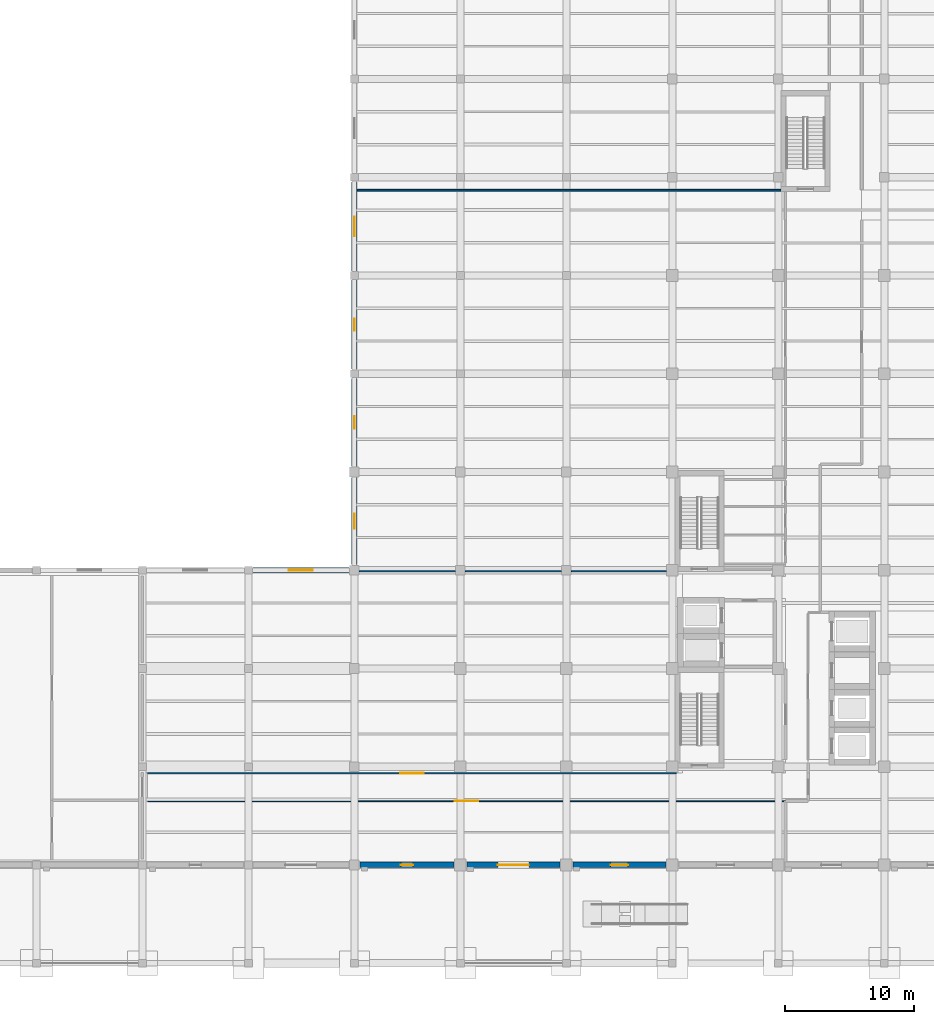
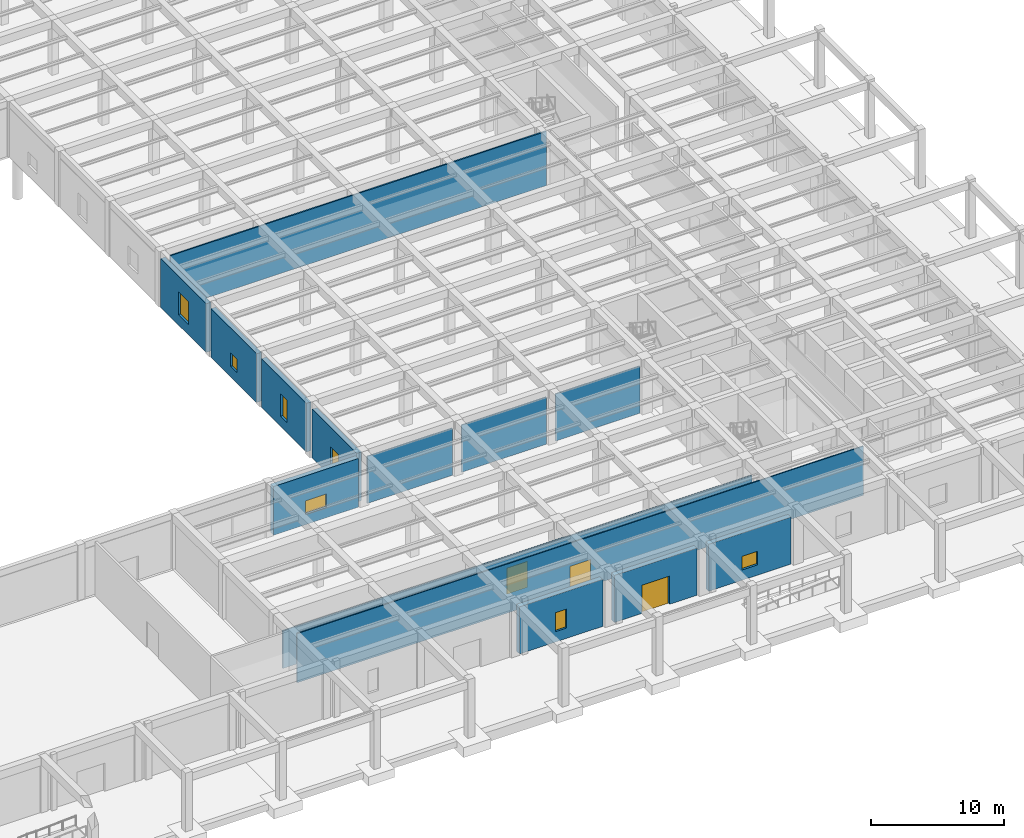
# One storey, part 44 of 64: 14 walls, 7 windows, 3 doors, 10 openings.
"""IFC4 building model written with IfcOpenShell, lengths in metres."""

from ifc_helpers import new_model, si_unit, direction, frame, frame_2d, origin, place, context, subcontext, project, spatial, rectangle, extrude, material, layer, layer_set, type_object, element, fill, save


model = new_model("IFC4")

# Units and contexts
model_context = context("Model", 3, precision=1e-05, world=origin(), true_north=direction((0.0, 1.0)))
body_context = subcontext(model_context, "Body", "Model", "MODEL_VIEW")
ifc_project = project(units=[si_unit("LENGTHUNIT", "METRE"), si_unit("AREAUNIT", "SQUARE_METRE"), si_unit("VOLUMEUNIT", "CUBIC_METRE"), si_unit("PLANEANGLEUNIT", "RADIAN"), si_unit("MASSUNIT", "GRAM", prefix="KILO")], contexts=[model_context])

# Site, building, storey
site_placement = place(None, origin())
site = spatial("IfcSite", under=ifc_project, at=site_placement, CompositionType="ELEMENT")
building_placement = place(site_placement, origin())
building = spatial("IfcBuilding", under=site, at=building_placement, Name="Qandaris Square Conservatory and Botanical Centre", CompositionType="ELEMENT")
storey_placement = place(building_placement, origin())
storey = spatial("IfcBuildingStorey", under=building, at=storey_placement, Name="L00", CompositionType="ELEMENT", Elevation=0.0)

# Wall, opening, door
ifc_material_1 = material(Name="Tempered Low-E Glass", Category="glass")
ifc_layer_1 = layer(ifc_material_1, 0.10009765625)
ifc_layer_set_1 = layer_set([ifc_layer_1], Name="Tempered Low-E Glass")
wall_type_1 = type_object("IfcWallType", Name="Framed Acoustic Glazed Gallery Screen 100mm", PredefinedType="PARTITIONING", material=ifc_layer_set_1)
wall_1_placement = place(storey_placement, frame((147.949951171875, 21.550048828125, 0.0), z_axis=(0.0, 0.0, 1.0), x_axis=(-1.0, 0.0, 0.0)))
wall_1 = element("IfcWall", 1, at=wall_1_placement, inside=storey, type_object=wall_type_1, Name="Interior Partition IW-L00-0054", PredefinedType="PARTITIONING", context=body_context, shape_type="SweptSolid", body=[
    extrude(rectangle(XDim=49.349853515625, YDim=0.10009765625, at=frame_2d((24.6748046875, 0.0))), origin(), (0.0, 0.0, 1.0), 4.52490234375),
])
opening_1_placement = place(wall_1_placement, frame((23.77490234375, 0.0, 0.0)))
opening_1 = element("IfcOpeningElement", 2, at=opening_1_placement, cuts=wall_1, Name="Opening D-GL1", PredefinedType="OPENING", context=body_context, shape_type="SweptSolid", body=[
    extrude(rectangle(XDim=1.800048828125, YDim=2.39990234375, at=frame_2d((0.89990234375, 1.199951171875))), frame((0.0, 0.06201171875, 0.0), z_axis=(0.0, -1.0, 0.0), x_axis=(1.0, 0.0, 0.0)), (0.0, 0.0, 1.0), 0.1240234375),
])
ifc_material_2 = material(Name="Anodised Aluminium", Category="aluminium")
door_type_1 = type_object("IfcDoorType", Name="Visitor Gallery Glazed Double Door 1800x2400", OperationType="DOUBLE_DOOR_SINGLE_SWING", PredefinedType="DOOR", material=ifc_material_2)
door_1_placement = place(opening_1_placement, frame((1.800048828125, 0.0, 0.0), z_axis=(0.0, 0.0, 1.0), x_axis=(-1.0, 0.0, 0.0)))
door_1 = element("IfcDoor", 3, at=door_1_placement, inside=storey, type_object=door_type_1, Name="DR-0038 Botanical Research Tower Entrance Lobby Door", OperationType="DOUBLE_DOOR_SINGLE_SWING", OverallHeight=2.39990234375, OverallWidth=1.800048828125, PredefinedType="DOOR", context=body_context, shape_type="SweptSolid", body=[
    extrude(rectangle(XDim=1.800048828125, YDim=2.39990234375, at=frame_2d((0.89990234375, 1.199951171875))), frame((0.0, 0.02490234375, 0.0), z_axis=(0.0, -1.0, 0.0), x_axis=(1.0, 0.0, 0.0)), (0.0, 0.0, 1.0), 0.050048828125),
])
fill(opening_1, door_1)

wall_2_placement = place(storey_placement, frame((98.60009765625, 23.699951171875, 0.0), z_axis=(0.0, 0.0, 1.0), x_axis=(1.0, 0.0, 0.0)))
wall_2 = element("IfcWall", 4, at=wall_2_placement, inside=storey, type_object=wall_type_1, Name="Interior Partition IW-L00-0055", PredefinedType="PARTITIONING", context=body_context, shape_type="SweptSolid", body=[
    extrude(rectangle(XDim=40.89990234375, YDim=0.10009765625, at=frame_2d((20.449951171875, 0.0))), origin(), (0.0, 0.0, 1.0), 3.485107421875),
])
opening_2_placement = place(wall_2_placement, frame((19.550048828125, 0.0, 0.0)))
opening_2 = element("IfcOpeningElement", 5, at=opening_2_placement, cuts=wall_2, Name="Opening D-GL1", PredefinedType="OPENING", context=body_context, shape_type="SweptSolid", body=[
    extrude(rectangle(XDim=1.800048828125, YDim=2.39990234375, at=frame_2d((0.89990234375, 1.199951171875))), frame((0.0, 0.06201171875, 0.0), z_axis=(0.0, -1.0, 0.0), x_axis=(1.0, 0.0, 0.0)), (0.0, 0.0, 1.0), 0.1240234375),
])
door_2_placement = place(opening_2_placement, origin())
door_2 = element("IfcDoor", 6, at=door_2_placement, inside=storey, type_object=door_type_1, Name="DR-0039 Research Reception and Security Desk Door", OperationType="DOUBLE_DOOR_SINGLE_SWING", OverallHeight=2.39990234375, OverallWidth=1.800048828125, PredefinedType="DOOR", context=body_context, shape_type="SweptSolid", body=[
    extrude(rectangle(XDim=1.800048828125, YDim=2.39990234375, at=frame_2d((0.89990234375, 1.199951171875))), frame((0.0, 0.02490234375, 0.0), z_axis=(0.0, -1.0, 0.0), x_axis=(1.0, 0.0, 0.0)), (0.0, 0.0, 1.0), 0.050048828125),
])
fill(opening_2, door_2)

# Walls
for number, where, z_axis, x_axis, name in (
    (7, (114.9951171875, 39.324951171875, 0.0), (0.0, 0.0, 1.0), (1.0, 0.0, 0.0), "Interior Partition IW-L00-0065"),
    (8, (123.195068359375, 39.324951171875, 0.0), (0.0, 0.0, 1.0), (1.0, 0.0, 0.0), "Interior Partition IW-L00-0066"),
):
    element("IfcWall", number, at=place(storey_placement, frame(where, z_axis=z_axis, x_axis=x_axis)), inside=storey, type_object=wall_type_1, Name=name, PredefinedType="PARTITIONING", context=body_context, shape_type="SweptSolid", body=[
        extrude(rectangle(XDim=7.409912109375, YDim=0.10009765625, at=frame_2d((3.705078125, 0.0))), origin(), (0.0, 0.0, 1.0), 4.3349609375),
    ])
wall_3_placement = place(storey_placement, frame((131.39501953125, 39.324951171875, 0.0), z_axis=(0.0, 0.0, 1.0), x_axis=(1.0, 0.0, 0.0)))
element("IfcWall", 9, at=wall_3_placement, inside=storey, type_object=wall_type_1, Name="Interior Partition IW-L00-0067", PredefinedType="PARTITIONING", context=body_context, shape_type="SweptSolid", body=[
    extrude(rectangle(XDim=7.3349609375, YDim=0.10009765625, at=frame_2d((3.66748046875, 0.0))), origin(), (0.0, 0.0, 1.0), 4.3349609375),
])

# Wall, opening, window
ifc_material_3 = material(Name="Concrete C40/50", Category="concrete")
ifc_layer_2 = layer(ifc_material_3, 0.419921875)
ifc_layer_set_2 = layer_set([ifc_layer_2], Name="Concrete C40/50")
wall_type_2 = type_object("IfcWallType", Name="Insulated Qatari Limestone Cavity Wall 420mm", PredefinedType="SOLIDWALL", material=ifc_layer_set_2)
wall_4_placement = place(storey_placement, frame((115.034912109375, 16.60009765625, 0.0), z_axis=(0.0, 0.0, 1.0), x_axis=(1.0, 0.0, 0.0)))
wall_4 = element("IfcWall", 10, at=wall_4_placement, inside=storey, type_object=wall_type_2, Name="Exterior Wall EW-TWR-L00-1-3", PredefinedType="SOLIDWALL", context=body_context, shape_type="SweptSolid", body=[
    extrude(rectangle(XDim=7.255126953125, YDim=0.419921875, at=frame_2d((3.62744140625, 0.0))), origin(), (0.0, 0.0, 1.0), 4.3349609375),
])
opening_3_placement = place(wall_4_placement, frame((3.152587890625, 0.0, 0.949951171875)))
opening_3 = element("IfcOpeningElement", 11, at=opening_3_placement, cuts=wall_4, Name="Opening WN-15", PredefinedType="OPENING", context=body_context, shape_type="SweptSolid", body=[
    extrude(rectangle(XDim=0.949951171875, YDim=1.75, at=frame_2d((0.47509765625, 0.875))), frame((0.0, 0.221923828125, 0.0), z_axis=(0.0, -1.0, 0.0), x_axis=(1.0, 0.0, 0.0)), (0.0, 0.0, 1.0), 0.44384765625),
])
window_type_1 = type_object("IfcWindowType", Name="Solar Control Window 950x1750", PartitioningType="SINGLE_PANEL", PredefinedType="WINDOW", material=ifc_material_1)
window_1_placement = place(opening_3_placement, origin())
window_1 = element("IfcWindow", 12, at=window_1_placement, inside=storey, type_object=window_type_1, Name="Window EW-TWR-L00-1-3", OverallHeight=1.75, OverallWidth=0.949951171875, PartitioningType="SINGLE_PANEL", PredefinedType="WINDOW", context=body_context, shape_type="SweptSolid", body=[
    extrude(rectangle(XDim=0.949951171875, YDim=1.75, at=frame_2d((0.47509765625, 0.875))), frame((0.0, 0.030029296875, 0.0), z_axis=(0.0, -1.0, 0.0), x_axis=(1.0, 0.0, 0.0)), (0.0, 0.0, 1.0), 0.06005859375),
])
fill(opening_3, window_1)

# Wall, opening, door
wall_5_placement = place(storey_placement, frame((123.31005859375, 16.60009765625, 0.0), z_axis=(0.0, 0.0, 1.0), x_axis=(1.0, 0.0, 0.0)))
wall_5 = element("IfcWall", 13, at=wall_5_placement, inside=storey, type_object=wall_type_2, Name="Exterior Wall EW-TWR-L00-1-4", PredefinedType="SOLIDWALL", context=body_context, shape_type="SweptSolid", body=[
    extrude(rectangle(XDim=7.179931640625, YDim=0.419921875, at=frame_2d((3.58984375, 0.0))), origin(), (0.0, 0.0, 1.0), 4.3349609375),
])
opening_4_placement = place(wall_5_placement, frame((2.389892578125, 0.0, 0.0)))
opening_4 = element("IfcOpeningElement", 14, at=opening_4_placement, cuts=wall_5, Name="Opening ED-T1", PredefinedType="OPENING", context=body_context, shape_type="SweptSolid", body=[
    extrude(rectangle(XDim=2.39990234375, YDim=2.60009765625, at=frame_2d((1.199951171875, 1.300048828125))), frame((0.0, 0.221923828125, 0.0), z_axis=(0.0, -1.0, 0.0), x_axis=(1.0, 0.0, 0.0)), (0.0, 0.0, 1.0), 0.44384765625),
])
door_type_2 = type_object("IfcDoorType", Name="Main Civic Entrance Double Glazed Door 2400x2600", OperationType="DOUBLE_DOOR_SINGLE_SWING", PredefinedType="DOOR", material=ifc_material_2)
door_3_placement = place(opening_4_placement, frame((2.39990234375, 0.0, 0.0), z_axis=(0.0, 0.0, 1.0), x_axis=(-1.0, 0.0, 0.0)))
door_3 = element("IfcDoor", 15, at=door_3_placement, inside=storey, type_object=door_type_2, Name="DR-0074 Exterior Exit Door ED-12", OperationType="DOUBLE_DOOR_SINGLE_SWING", OverallHeight=2.60009765625, OverallWidth=2.39990234375, PredefinedType="DOOR", context=body_context, shape_type="SweptSolid", body=[
    extrude(rectangle(XDim=2.39990234375, YDim=2.60009765625, at=frame_2d((1.199951171875, 1.300048828125))), frame((0.0, 0.02490234375, 0.0), z_axis=(0.0, -1.0, 0.0), x_axis=(1.0, 0.0, 0.0)), (0.0, 0.0, 1.0), 0.050048828125),
])
fill(opening_4, door_3)

# Wall, opening, window
wall_6_placement = place(storey_placement, frame((131.510009765625, 16.60009765625, 0.0), z_axis=(0.0, 0.0, 1.0), x_axis=(1.0, 0.0, 0.0)))
wall_6 = element("IfcWall", 16, at=wall_6_placement, inside=storey, type_object=wall_type_2, Name="Exterior Wall EW-TWR-L00-1-5", PredefinedType="SOLIDWALL", context=body_context, shape_type="SweptSolid", body=[
    extrude(rectangle(XDim=7.179931640625, YDim=0.419921875, at=frame_2d((3.58984375, 0.0))), origin(), (0.0, 0.0, 1.0), 4.3349609375),
])
opening_5_placement = place(wall_6_placement, frame((2.9150390625, 0.0, 0.949951171875)))
opening_5 = element("IfcOpeningElement", 17, at=opening_5_placement, cuts=wall_6, Name="Opening WN-21", PredefinedType="OPENING", context=body_context, shape_type="SweptSolid", body=[
    extrude(rectangle(XDim=1.35009765625, YDim=1.25, at=frame_2d((0.675048828125, 0.625))), frame((0.0, 0.221923828125, 0.0), z_axis=(0.0, -1.0, 0.0), x_axis=(1.0, 0.0, 0.0)), (0.0, 0.0, 1.0), 0.44384765625),
])
window_type_2 = type_object("IfcWindowType", Name="Solar Control Window 1350x1250", PartitioningType="SINGLE_PANEL", PredefinedType="WINDOW", material=ifc_material_1)
window_2_placement = place(opening_5_placement, origin())
window_2 = element("IfcWindow", 18, at=window_2_placement, inside=storey, type_object=window_type_2, Name="Window EW-TWR-L00-1-5", OverallHeight=1.25, OverallWidth=1.35009765625, PartitioningType="SINGLE_PANEL", PredefinedType="WINDOW", context=body_context, shape_type="SweptSolid", body=[
    extrude(rectangle(XDim=1.35009765625, YDim=1.25, at=frame_2d((0.675048828125, 0.625))), frame((0.0, 0.030029296875, 0.0), z_axis=(0.0, -1.0, 0.0), x_axis=(1.0, 0.0, 0.0)), (0.0, 0.0, 1.0), 0.06005859375),
])
fill(opening_5, window_2)

wall_7_placement = place(storey_placement, frame((114.60009765625, 69.43994140625, 0.0), z_axis=(0.0, 0.0, 1.0), x_axis=(0.0, -1.0, 0.0)))
wall_7 = element("IfcWall", 19, at=wall_7_placement, inside=storey, type_object=wall_type_2, Name="Exterior Wall EW-TWR-L00-4-7", PredefinedType="SOLIDWALL", context=body_context, shape_type="SweptSolid", body=[
    extrude(rectangle(XDim=6.8798828125, YDim=0.419921875, at=frame_2d((3.43994140625, 0.0))), origin(), (0.0, 0.0, 1.0), 4.485107421875),
])
opening_6_placement = place(wall_7_placement, frame((2.68994140625, 0.0, 0.949951171875)))
opening_6 = element("IfcOpeningElement", 20, at=opening_6_placement, cuts=wall_7, Name="Opening WN-02", PredefinedType="OPENING", context=body_context, shape_type="SweptSolid", body=[
    extrude(rectangle(XDim=1.5, YDim=2.10009765625, at=frame_2d((0.75, 1.050048828125))), frame((0.0, 0.221923828125, 0.0), z_axis=(0.0, -1.0, 0.0), x_axis=(1.0, 0.0, 0.0)), (0.0, 0.0, 1.0), 0.44384765625),
])
window_type_3 = type_object("IfcWindowType", Name="Deep-Set Paired Research Window 1500x2100", PartitioningType="DOUBLE_PANEL_VERTICAL", PredefinedType="WINDOW", material=ifc_material_1)
window_3_placement = place(opening_6_placement, origin())
window_3 = element("IfcWindow", 21, at=window_3_placement, inside=storey, type_object=window_type_3, Name="Window EW-TWR-L00-4-7", OverallHeight=2.10009765625, OverallWidth=1.5, PartitioningType="DOUBLE_PANEL_VERTICAL", PredefinedType="WINDOW", context=body_context, shape_type="SweptSolid", body=[
    extrude(rectangle(XDim=1.5, YDim=2.10009765625, at=frame_2d((0.75, 1.050048828125))), frame((0.0, 0.030029296875, 0.0), z_axis=(0.0, -1.0, 0.0), x_axis=(1.0, 0.0, 0.0)), (0.0, 0.0, 1.0), 0.06005859375),
])
fill(opening_6, window_3)

wall_8_placement = place(storey_placement, frame((114.60009765625, 61.840087890625, 0.0), z_axis=(0.0, 0.0, 1.0), x_axis=(0.0, -1.0, 0.0)))
wall_8 = element("IfcWall", 22, at=wall_8_placement, inside=storey, type_object=wall_type_2, Name="Exterior Wall EW-TWR-L00-4-8", PredefinedType="SOLIDWALL", context=body_context, shape_type="SweptSolid", body=[
    extrude(rectangle(XDim=6.880126953125, YDim=0.419921875, at=frame_2d((3.43994140625, 0.0))), origin(), (0.0, 0.0, 1.0), 4.485107421875),
])
opening_7_placement = place(wall_8_placement, frame((2.965087890625, 0.0, 0.949951171875)))
opening_7 = element("IfcOpeningElement", 23, at=opening_7_placement, cuts=wall_8, Name="Opening WN-13", PredefinedType="OPENING", context=body_context, shape_type="SweptSolid", body=[
    extrude(rectangle(XDim=0.949951171875, YDim=1.25, at=frame_2d((0.47509765625, 0.625))), frame((0.0, 0.221923828125, 0.0), z_axis=(0.0, -1.0, 0.0), x_axis=(1.0, 0.0, 0.0)), (0.0, 0.0, 1.0), 0.44384765625),
])
window_type_4 = type_object("IfcWindowType", Name="Solar Control Window 950x1250", PartitioningType="SINGLE_PANEL", PredefinedType="WINDOW", material=ifc_material_1)
window_4_placement = place(opening_7_placement, origin())
window_4 = element("IfcWindow", 24, at=window_4_placement, inside=storey, type_object=window_type_4, Name="Window EW-TWR-L00-4-8", OverallHeight=1.25, OverallWidth=0.949951171875, PartitioningType="SINGLE_PANEL", PredefinedType="WINDOW", context=body_context, shape_type="SweptSolid", body=[
    extrude(rectangle(XDim=0.949951171875, YDim=1.25, at=frame_2d((0.47509765625, 0.625))), frame((0.0, 0.030029296875, 0.0), z_axis=(0.0, -1.0, 0.0), x_axis=(1.0, 0.0, 0.0)), (0.0, 0.0, 1.0), 0.06005859375),
])
fill(opening_7, window_4)

wall_9_placement = place(storey_placement, frame((114.60009765625, 54.239990234375, 0.0), z_axis=(0.0, 0.0, 1.0), x_axis=(0.0, -1.0, 0.0)))
wall_9 = element("IfcWall", 25, at=wall_9_placement, inside=storey, type_object=wall_type_2, Name="Exterior Wall EW-TWR-L00-4-9", PredefinedType="SOLIDWALL", context=body_context, shape_type="SweptSolid", body=[
    extrude(rectangle(XDim=6.804931640625, YDim=0.419921875, at=frame_2d((3.40234375, 0.0))), origin(), (0.0, 0.0, 1.0), 4.485107421875),
])
opening_8_placement = place(wall_9_placement, frame((2.927490234375, 0.0, 0.949951171875)))
opening_8 = element("IfcOpeningElement", 26, at=opening_8_placement, cuts=wall_9, Name="Opening WN-16", PredefinedType="OPENING", context=body_context, shape_type="SweptSolid", body=[
    extrude(rectangle(XDim=0.949951171875, YDim=2.050048828125, at=frame_2d((0.47509765625, 1.02490234375))), frame((0.0, 0.221923828125, 0.0), z_axis=(0.0, -1.0, 0.0), x_axis=(1.0, 0.0, 0.0)), (0.0, 0.0, 1.0), 0.44384765625),
])
window_type_5 = type_object("IfcWindowType", Name="Solar Control Window 950x2050", PartitioningType="SINGLE_PANEL", PredefinedType="WINDOW", material=ifc_material_1)
window_5_placement = place(opening_8_placement, origin())
window_5 = element("IfcWindow", 27, at=window_5_placement, inside=storey, type_object=window_type_5, Name="Window EW-TWR-L00-4-9", OverallHeight=2.050048828125, OverallWidth=0.949951171875, PartitioningType="SINGLE_PANEL", PredefinedType="WINDOW", context=body_context, shape_type="SweptSolid", body=[
    extrude(rectangle(XDim=0.949951171875, YDim=2.050048828125, at=frame_2d((0.47509765625, 1.02490234375))), frame((0.0, 0.030029296875, 0.0), z_axis=(0.0, -1.0, 0.0), x_axis=(1.0, 0.0, 0.0)), (0.0, 0.0, 1.0), 0.06005859375),
])
fill(opening_8, window_5)

wall_10_placement = place(storey_placement, frame((114.60009765625, 46.56494140625, 0.0), z_axis=(0.0, 0.0, 1.0), x_axis=(0.0, -1.0, 0.0)))
wall_10 = element("IfcWall", 28, at=wall_10_placement, inside=storey, type_object=wall_type_2, Name="Exterior Wall EW-TWR-L00-4-10", PredefinedType="SOLIDWALL", context=body_context, shape_type="SweptSolid", body=[
    extrude(rectangle(XDim=6.72998046875, YDim=0.419921875, at=frame_2d((3.364990234375, 0.0))), origin(), (0.0, 0.0, 1.0), 4.485107421875),
])
opening_9_placement = place(wall_10_placement, frame((2.7900390625, 0.0, 0.949951171875)))
opening_9 = element("IfcOpeningElement", 29, at=opening_9_placement, cuts=wall_10, Name="Opening WN-19", PredefinedType="OPENING", context=body_context, shape_type="SweptSolid", body=[
    extrude(rectangle(XDim=1.14990234375, YDim=1.75, at=frame_2d((0.574951171875, 0.875))), frame((0.0, 0.221923828125, 0.0), z_axis=(0.0, -1.0, 0.0), x_axis=(1.0, 0.0, 0.0)), (0.0, 0.0, 1.0), 0.44384765625),
])
window_type_6 = type_object("IfcWindowType", Name="Solar Control Window 1150x1750", PartitioningType="SINGLE_PANEL", PredefinedType="WINDOW", material=ifc_material_1)
window_6_placement = place(opening_9_placement, origin())
window_6 = element("IfcWindow", 30, at=window_6_placement, inside=storey, type_object=window_type_6, Name="Window EW-TWR-L00-4-10", OverallHeight=1.75, OverallWidth=1.14990234375, PartitioningType="SINGLE_PANEL", PredefinedType="WINDOW", context=body_context, shape_type="SweptSolid", body=[
    extrude(rectangle(XDim=1.14990234375, YDim=1.75, at=frame_2d((0.574951171875, 0.875))), frame((0.0, 0.030029296875, 0.0), z_axis=(0.0, -1.0, 0.0), x_axis=(1.0, 0.0, 0.0)), (0.0, 0.0, 1.0), 0.06005859375),
])
fill(opening_9, window_6)

wall_11_placement = place(storey_placement, frame((114.1650390625, 39.39990234375, 0.0), z_axis=(0.0, 0.0, 1.0), x_axis=(-1.0, 0.0, 0.0)))
wall_11 = element("IfcWall", 31, at=wall_11_placement, inside=storey, type_object=wall_type_2, Name="Exterior Wall EW-TWR-L00-5-1", PredefinedType="SOLIDWALL", context=body_context, shape_type="SweptSolid", body=[
    extrude(rectangle(XDim=7.405029296875, YDim=0.419921875, at=frame_2d((3.70263671875, 0.0))), origin(), (0.0, 0.0, 1.0), 4.485107421875),
])
opening_10_placement = place(wall_11_placement, frame((2.777587890625, 0.0, 0.949951171875)))
opening_10 = element("IfcOpeningElement", 32, at=opening_10_placement, cuts=wall_11, Name="Opening WN-29", PredefinedType="OPENING", context=body_context, shape_type="SweptSolid", body=[
    extrude(rectangle(XDim=1.85009765625, YDim=1.25, at=frame_2d((0.925048828125, 0.625))), frame((0.0, 0.221923828125, 0.0), z_axis=(0.0, -1.0, 0.0), x_axis=(1.0, 0.0, 0.0)), (0.0, 0.0, 1.0), 0.44384765625),
])
window_type_7 = type_object("IfcWindowType", Name="Solar Control Window 1850x1250", PartitioningType="DOUBLE_PANEL_VERTICAL", PredefinedType="WINDOW", material=ifc_material_1)
window_7_placement = place(opening_10_placement, origin())
window_7 = element("IfcWindow", 33, at=window_7_placement, inside=storey, type_object=window_type_7, Name="Window EW-TWR-L00-5-1", OverallHeight=1.25, OverallWidth=1.85009765625, PartitioningType="DOUBLE_PANEL_VERTICAL", PredefinedType="WINDOW", context=body_context, shape_type="SweptSolid", body=[
    extrude(rectangle(XDim=1.85009765625, YDim=1.25, at=frame_2d((0.925048828125, 0.625))), frame((0.0, 0.030029296875, 0.0), z_axis=(0.0, -1.0, 0.0), x_axis=(1.0, 0.0, 0.0)), (0.0, 0.0, 1.0), 0.06005859375),
])
fill(opening_10, window_7)

# Wall
ifc_material_4 = material(Name="Gypsum Plasterboard", Category="gypsum")
ifc_layer_3 = layer(ifc_material_4, 0.1201171875)
ifc_layer_set_3 = layer_set([ifc_layer_3], Name="Gypsum Plasterboard")
wall_type_3 = type_object("IfcWallType", Name="Standard Research Partition 120mm", PredefinedType="PARTITIONING", material=ifc_layer_set_3)
wall_12_placement = place(storey_placement, frame((114.840087890625, 68.800048828125, 0.0), z_axis=(0.0, 0.0, 1.0), x_axis=(1.0, 0.0, 0.0)))
element("IfcWall", 34, at=wall_12_placement, inside=storey, type_object=wall_type_3, Name="Interior Partition IW-L00-0068", PredefinedType="PARTITIONING", context=body_context, shape_type="SweptSolid", body=[
    extrude(rectangle(XDim=32.760009765625, YDim=0.1201171875, at=frame_2d((16.3798828125, 0.0))), origin(), (0.0, 0.0, 1.0), 5.0048828125),
])

save(model, "model.ifc")
